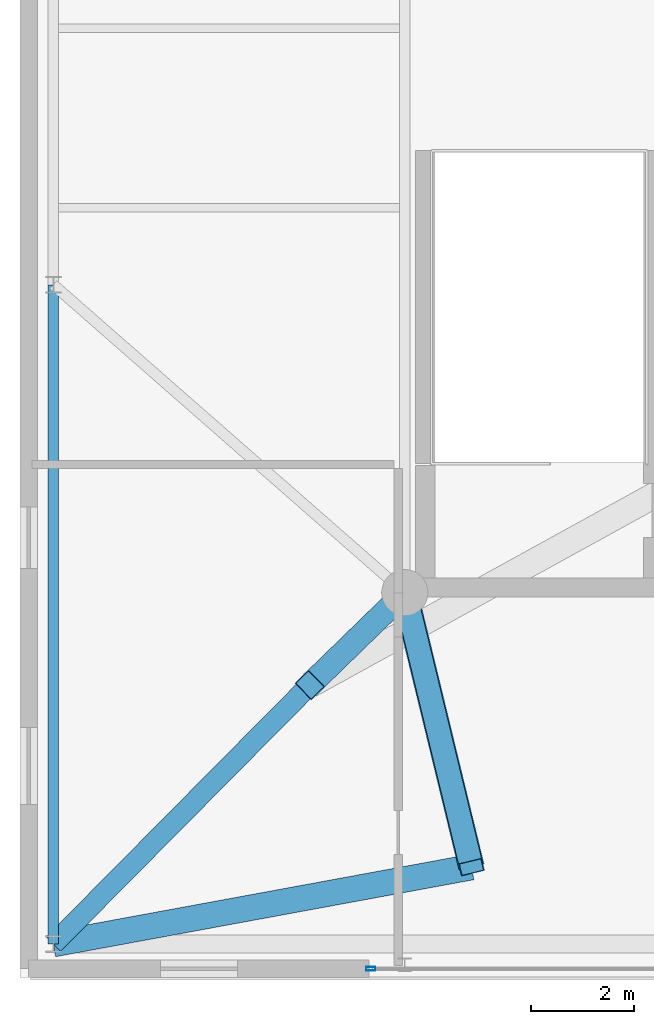
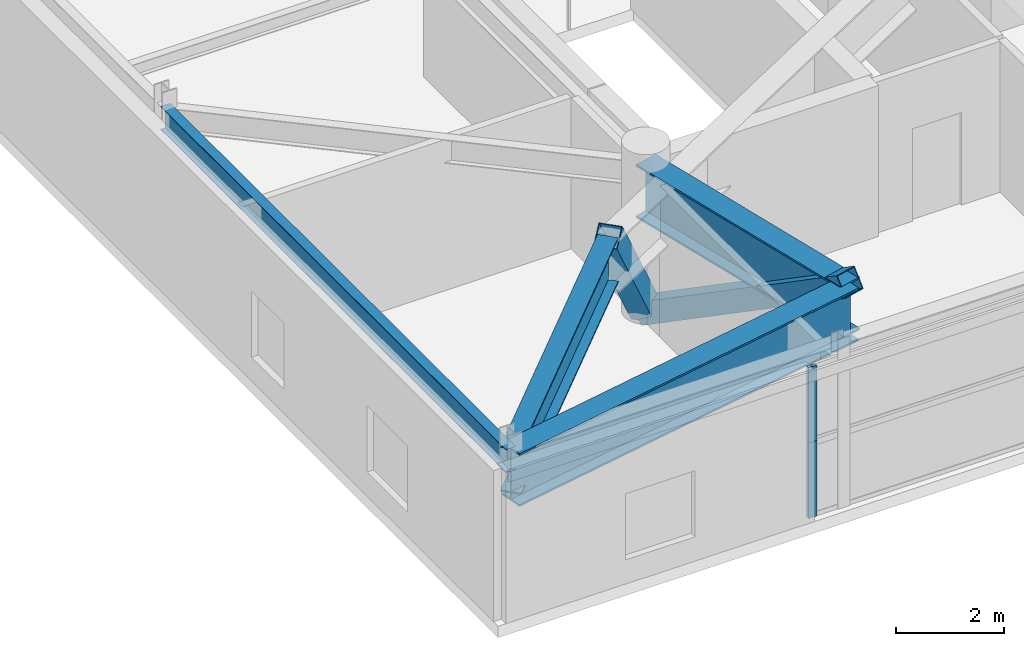
# One storey, part 5 of 27: 4 beams, 4 members, 2 elements without a shape of their own.
"""IFC4 building model written with IfcOpenShell, lengths in metres."""

import ifcopenshell
import ifcopenshell.guid

model = None  # the IFC model being written
_history = None  # IfcOwnerHistory: only IFC2X3 demands one
_inside = {}  # id of a spatial element -> (the spatial element, [elements in it])
_under = {}  # id of a project, library or spatial element -> (it, [spatial elements below it])
_declared = {}  # id of a project -> (the project, [libraries it declares])
_typed = {}  # id of a type object -> (the type object, [elements of that type])
_made_of = {}  # id of a material, layer set ... -> (it, [elements and type objects made of it])


def new_model(schema):
    """Start an empty IFC model of exactly this schema.

    Asked for "IFC4X3", IfcOpenShell would pick the latest addendum, in which some entities
    have other attributes; the version numbers below select the first issue.
    IFC2X3 requires an IfcOwnerHistory on every rooted entity: one is made here for all.
    """
    global model, _history
    if schema == "IFC4X3":
        model = ifcopenshell.file(schema_version=(4, 3, 0, 0))
    else:
        model = ifcopenshell.file(schema=schema)
    _inside.clear()
    _under.clear()
    _declared.clear()
    _typed.clear()
    _made_of.clear()
    _history = None
    if model.schema == "IFC2X3":
        org = make("IfcOrganization", Name="unknown")
        user = make(
            "IfcPersonAndOrganization",
            ThePerson=make("IfcPerson", FamilyName="unknown"),
            TheOrganization=org,
        )
        app = make(
            "IfcApplication",
            ApplicationDeveloper=org,
            Version="unknown",
            ApplicationFullName="unknown",
            ApplicationIdentifier="unknown",
        )
        _history = make(
            "IfcOwnerHistory",
            OwningUser=user,
            OwningApplication=app,
            ChangeAction="ADDED",
            CreationDate=0,
        )
    return model


def make(cls, **values):
    """One entity of the class cls with the attributes given. An attribute that is None is left unset."""
    return model.create_entity(
        cls, **{name: value for name, value in values.items() if value is not None}
    )


def rooted(cls, **values):
    """An entity with a GlobalId (a new one), such as an element, a storey or a relation."""
    return make(cls, GlobalId=ifcopenshell.guid.new(), OwnerHistory=_history, **values)


def si_unit(unit_type, name, prefix=None):
    """IfcSIUnit, for example si_unit("LENGTHUNIT", "METRE", prefix="MILLI")."""
    return make("IfcSIUnit", UnitType=unit_type, Prefix=prefix, Name=name)


def assignment(units):
    """IfcUnitAssignment: the units of a project."""
    return None if units is None else make("IfcUnitAssignment", Units=units)


def point(xyz):
    """IfcCartesianPoint."""
    return None if xyz is None else make("IfcCartesianPoint", Coordinates=xyz)


def direction(xyz):
    """IfcDirection."""
    return None if xyz is None else make("IfcDirection", DirectionRatios=xyz)


def frame(location, z_axis=None, x_axis=None):
    """IfcAxis2Placement3D, a coordinate frame: its origin and axes. An axis left out is left unset."""
    return make(
        "IfcAxis2Placement3D",
        Location=point(location),
        Axis=direction(z_axis),
        RefDirection=direction(x_axis),
    )


def frame_2d(location, x_axis=None):
    """IfcAxis2Placement2D, a coordinate frame in the plane: its origin and x axis."""
    return make(
        "IfcAxis2Placement2D", Location=point(location), RefDirection=direction(x_axis)
    )


def origin():
    """The frame at (0, 0, 0) with its axes left unset."""
    return frame((0.0, 0.0, 0.0))


def origin_2d():
    """The frame at (0, 0) in the plane with its x axis left unset."""
    return frame_2d((0.0, 0.0))


def place(relative_to, where):
    """IfcLocalPlacement: puts the frame where relative to a parent placement (None: the world)."""
    return make(
        "IfcLocalPlacement", PlacementRelTo=relative_to, RelativePlacement=where
    )


def context(
    kind, dimensions, precision=None, world=None, true_north=None, identifier=None
):
    """IfcGeometricRepresentationContext, for example the 3D "Model" context."""
    return make(
        "IfcGeometricRepresentationContext",
        ContextIdentifier=identifier,
        ContextType=kind,
        CoordinateSpaceDimension=dimensions,
        Precision=precision,
        WorldCoordinateSystem=world,
        TrueNorth=true_north,
    )


def subcontext(parent, identifier, kind, view, scale=None):
    """IfcGeometricRepresentationSubContext, for example "Body" below "Model"."""
    return make(
        "IfcGeometricRepresentationSubContext",
        ContextIdentifier=identifier,
        ContextType=kind,
        ParentContext=parent,
        TargetScale=scale,
        TargetView=view,
    )


def project(units=None, contexts=None):
    """IfcProject with its units and contexts."""
    return rooted(
        "IfcProject",
        Name="project",
        RepresentationContexts=contexts,
        UnitsInContext=assignment(units),
    )


def spatial(cls, under=None, at=None, **own):
    """A site, building, storey or space (cls), placed at a placement, below another one or the project."""
    s = rooted(cls, ObjectPlacement=at, **own)
    if under is not None:
        _under.setdefault(under.id(), (under, []))[1].append(s)
    return s


def profile(cls, at=None, kind="AREA", **sizes):
    """A parametric profile (cls). Its sizes go by their IFC names, for example OverallWidth=200.0."""
    return make(cls, ProfileType=kind, Position=at, **sizes)


def hollow_rectangle(**sizes):
    """IfcRectangleHollowProfileDef."""
    return profile("IfcRectangleHollowProfileDef", **sizes)


def i_section(**sizes):
    """IfcIShapeProfileDef."""
    return profile("IfcIShapeProfileDef", **sizes)


def extrude(swept, where, along, depth):
    """IfcExtrudedAreaSolid: the profile swept, set in the frame where, extruded along a direction by depth."""
    return make(
        "IfcExtrudedAreaSolid",
        SweptArea=swept,
        Position=where,
        ExtrudedDirection=direction(along),
        Depth=depth,
    )


def shape(context_of_items, identifier, shape_type, items):
    """IfcShapeRepresentation: the items that make up one representation, for example the "Body"."""
    return make(
        "IfcShapeRepresentation",
        ContextOfItems=context_of_items,
        RepresentationIdentifier=identifier,
        RepresentationType=shape_type,
        Items=items,
    )


def source(mapping_origin, context_of_items, identifier, shape_type, items):
    """IfcRepresentationMap: a shape defined once, which mapped items show again and again."""
    return make(
        "IfcRepresentationMap",
        MappingOrigin=mapping_origin,
        MappedRepresentation=shape(context_of_items, identifier, shape_type, items),
    )


def transform(
    local_origin,
    x_axis=None,
    y_axis=None,
    z_axis=None,
    scale=None,
    scale2=None,
    scale3=None,
    uniform=True,
):
    """IfcCartesianTransformationOperator3D, or its non-uniform kind. x_axis, y_axis, z_axis: its Axis1, 2, 3."""
    if uniform:
        return make(
            "IfcCartesianTransformationOperator3D",
            Axis1=direction(x_axis),
            Axis2=direction(y_axis),
            LocalOrigin=point(local_origin),
            Scale=scale,
            Axis3=direction(z_axis),
        )
    return make(
        "IfcCartesianTransformationOperator3DnonUniform",
        Axis1=direction(x_axis),
        Axis2=direction(y_axis),
        LocalOrigin=point(local_origin),
        Scale=scale,
        Axis3=direction(z_axis),
        Scale2=scale2,
        Scale3=scale3,
    )


def mapped(mapping_source, mapping_target):
    """IfcMappedItem: shows the shape of a source again, moved by a transform."""
    return make(
        "IfcMappedItem", MappingSource=mapping_source, MappingTarget=mapping_target
    )


def material(Name=None, Category=None):
    """IfcMaterial."""
    return make("IfcMaterial", Name=Name, Category=Category)


def layer(
    of_material, thickness, ventilated=None, Name=None, Category=None, Priority=None
):
    """IfcMaterialLayer: one layer of a wall or slab, of a material (None: an air gap)."""
    return make(
        "IfcMaterialLayer",
        Material=of_material,
        LayerThickness=thickness,
        IsVentilated=ventilated,
        Name=Name,
        Category=Category,
        Priority=Priority,
    )


def layer_set(layers, Name=None):
    """IfcMaterialLayerSet."""
    return make("IfcMaterialLayerSet", MaterialLayers=layers, LayerSetName=Name)


def material_profile(
    of_material, cross_section, Name=None, Category=None, Priority=None
):
    """IfcMaterialProfile: a cross section and its material."""
    return make(
        "IfcMaterialProfile",
        Name=Name,
        Material=of_material,
        Profile=cross_section,
        Priority=Priority,
        Category=Category,
    )


def profile_set(profiles, Name=None, composite=None):
    """IfcMaterialProfileSet."""
    return make(
        "IfcMaterialProfileSet",
        Name=Name,
        MaterialProfiles=profiles,
        CompositeProfile=composite,
    )


def made_of(thing, what):
    """Note that an element or type object is made of a material, layer set ...; save() writes the relation."""
    if what is not None:
        _made_of.setdefault(what.id(), (what, []))[1].append(thing)
    return thing


def type_object(cls, material=None, **own):
    """A type object (cls), such as IfcWallType, which elements share."""
    return made_of(rooted(cls, **own), material)


def element(
    cls,
    number,
    at=None,
    inside=None,
    cuts=None,
    type_object=None,
    material=None,
    context=None,
    identifier="Body",
    shape_type=None,
    held_by="IfcProductDefinitionShape",
    body=None,
    shapes=None,
    **own,
):
    """One element of the class cls, such as IfcWall. Its Tag is "e" and its number.

    at: its placement. inside: the storey or other place that contains it. cuts: it is an
    opening in that element (IfcRelVoidsElement). A single representation is given by context,
    identifier, shape_type and body (its items); several are given by shapes. held_by: the class
    of the entity that holds the representations. save() writes the other relations.
    """
    e = rooted(cls, Tag="e%d" % number, ObjectPlacement=at, **own)
    if body is not None:
        shapes = [shape(context, identifier, shape_type, body)]
    if shapes is not None:
        e.Representation = make(held_by, Representations=shapes)
    if inside is not None:
        _inside.setdefault(inside.id(), (inside, []))[1].append(e)
    if cuts is not None:
        rooted(
            "IfcRelVoidsElement", RelatingBuildingElement=cuts, RelatedOpeningElement=e
        )
    if type_object is not None:
        _typed.setdefault(type_object.id(), (type_object, []))[1].append(e)
    return made_of(e, material)


def aggregate(whole, parts):
    """IfcRelAggregates: a whole, such as a stair, and the parts it consists of."""
    return rooted("IfcRelAggregates", RelatingObject=whole, RelatedObjects=parts)


def save(model, path):
    """Write the relations noted so far, then the file.

    IfcRelAggregates (storeys below a building ...), IfcRelContainedInSpatialStructure (elements
    in a storey), IfcRelDefinesByType, IfcRelAssociatesMaterial and IfcRelDeclares: one each for
    every whole, place, type object, material and project.
    """
    for whole, parts in _under.values():
        aggregate(whole, parts)
    for where, things in _inside.values():
        rooted(
            "IfcRelContainedInSpatialStructure",
            RelatedElements=things,
            RelatingStructure=where,
        )
    for kind, things in _typed.values():
        rooted("IfcRelDefinesByType", RelatedObjects=things, RelatingType=kind)
    for what, things in _made_of.values():
        rooted("IfcRelAssociatesMaterial", RelatedObjects=things, RelatingMaterial=what)
    for by, libraries in _declared.values():
        rooted("IfcRelDeclares", RelatingContext=by, RelatedDefinitions=libraries)
    model.write(path)


model = new_model("IFC4")

# Units and contexts
model_context = context("Model", 3, precision=1e-05, world=origin(), true_north=direction((0.0, 1.0)))
body_context = subcontext(model_context, "Body", "Model", "MODEL_VIEW")
ifc_project = project(units=[si_unit("LENGTHUNIT", "METRE"), si_unit("AREAUNIT", "SQUARE_METRE"), si_unit("VOLUMEUNIT", "CUBIC_METRE"), si_unit("PLANEANGLEUNIT", "RADIAN"), si_unit("MASSUNIT", "GRAM", prefix="KILO")], contexts=[model_context])

# Site, building, storey
site_placement = place(None, origin())
site = spatial("IfcSite", under=ifc_project, at=site_placement, CompositionType="ELEMENT")
building_placement = place(site_placement, origin())
building = spatial("IfcBuilding", under=site, at=building_placement, Name="Taldren Reach Tower", CompositionType="ELEMENT")
storey_placement = place(building_placement, frame((0.0, 0.0, 12.949951171875)))
storey = spatial("IfcBuildingStorey", under=building, at=storey_placement, Name="L03", CompositionType="ELEMENT", Elevation=12.949951171875)

# Beam
ifc_material_1 = material(Name="Steel Gr 350 (350PLUS)", Category="steel")
ifc_material_profile_1 = material_profile(ifc_material_1, i_section(OverallWidth=0.208984375, OverallDepth=0.528076171875, WebThickness=0.009521484375, FlangeThickness=0.01318359375, at=origin_2d()), Name="530UB82.0")
ifc_profile_set_1 = profile_set([ifc_material_profile_1], Name="Steel Gr 350 (350PLUS)")
beam_type_1 = type_object("IfcBeamType", Name="SP-UB530B", PredefinedType="SPANDREL", material=ifc_profile_set_1)
shared_shape_1 = source(origin(), body_context, "Body", "SweptSolid", [
    extrude(i_section(OverallWidth=0.208984375, OverallDepth=0.528076171875, WebThickness=0.009521484375, FlangeThickness=0.01318359375, at=origin_2d()), origin(), (0.0, 0.0, 1.0), 12.85009765625),
])
beam_1_placement = place(storey_placement, frame((0.64990234375, 0.64990234375, 3.166015625), z_axis=(0.0, 1.0, 0.0), x_axis=(-1.0, 0.0, 0.0)))
element("IfcBeam", 1, at=beam_1_placement, inside=storey, type_object=beam_type_1, Name="Podium beam L03-PD12", PredefinedType="SPANDREL", context=body_context, shape_type="MappedRepresentation", body=[
    mapped(shared_shape_1, transform((0.0, 0.0, 0.0), scale=1.0)),
])

# Member
ifc_material_2 = material(Name="Steel Gr 450 (C450L0)", Category="steel")
ifc_material_profile_2 = material_profile(ifc_material_2, hollow_rectangle(XDim=0.4599609375, YDim=0.4599609375, WallThickness=0.01611328125, at=origin_2d()), Name="460x460x16.0SHS")
ifc_profile_set_2 = profile_set([ifc_material_profile_2], Name="Steel Gr 450 (C450L0)")
member_type_1 = type_object("IfcMemberType", Name="MB-EXO457", PredefinedType="BRACE", material=ifc_profile_set_2)
shared_shape_2 = source(origin(), body_context, "Body", "SweptSolid", [
    extrude(hollow_rectangle(XDim=0.4599609375, YDim=0.4599609375, WallThickness=0.01611328125, at=origin_2d()), origin(), (0.0, 0.0, 1.0), 6.476318359375),
])
member_1_placement = place(storey_placement, frame((7.5, 7.5, 0.02001953125), z_axis=(0.200742524089, -0.826116746082, 0.526529734075), x_axis=(0.971722897714, 0.236124141203, 0.0)))
element("IfcMember", 2, at=member_1_placement, inside=storey, type_object=member_type_1, Name="Portal and block transfer strut TS-B1-S1 L03", PredefinedType="BRACE", context=body_context, shape_type="MappedRepresentation", body=[
    mapped(shared_shape_2, transform((0.0, 0.0, 0.0), scale=1.0)),
])

# Beams
ifc_material_profile_3 = material_profile(ifc_material_1, i_section(OverallWidth=0.5, OverallDepth=1.199951171875, WebThickness=0.01611328125, FlangeThickness=0.0400390625, at=origin_2d()), Name="1200WB455")
ifc_profile_set_3 = profile_set([ifc_material_profile_3], Name="Steel Gr 350 (350PLUS)")
beam_type_2 = type_object("IfcBeamType", Name="BM-WB1200", PredefinedType="BEAM", material=ifc_profile_set_3)
shared_shape_3 = source(origin(), body_context, "Body", "SweptSolid", [
    extrude(i_section(OverallWidth=0.5, OverallDepth=1.199951171875, WebThickness=0.01611328125, FlangeThickness=0.0400390625, at=origin_2d()), origin(), (0.0, 0.0, 1.0), 5.505859375),
])
beam_2_placement = place(storey_placement, frame((7.5, 7.5, 2.830078125), z_axis=(0.236124141203, -0.971722897714, 0.0), x_axis=(0.971722897714, 0.236124141203, 0.0)))
element("IfcBeam", 3, at=beam_2_placement, inside=storey, type_object=beam_type_2, Name="Block transfer girder TG-B1-S1A on L03", PredefinedType="BEAM", context=body_context, shape_type="MappedRepresentation", body=[
    mapped(shared_shape_3, transform((0.0, 0.0, 0.0), scale=1.0)),
])
shared_shape_4 = source(origin(), body_context, "Body", "SweptSolid", [
    extrude(i_section(OverallWidth=0.5, OverallDepth=1.199951171875, WebThickness=0.01611328125, FlangeThickness=0.0400390625, at=origin_2d()), origin(), (0.0, 0.0, 1.0), 8.287109375),
])
beam_3_placement = place(storey_placement, frame((0.64990234375, 0.64990234375, 2.830078125), z_axis=(0.983482044694, 0.181005711967, 0.0), x_axis=(-0.181005711967, 0.983482044694, 0.0)))
element("IfcBeam", 4, at=beam_3_placement, inside=storey, type_object=beam_type_2, Name="Block transfer tie girder TG-B1-S1B on L03", PredefinedType="BEAM", context=body_context, shape_type="MappedRepresentation", body=[
    mapped(shared_shape_4, transform((0.0, 0.0, 0.0), scale=1.0)),
])

# Member
shared_shape_5 = source(origin(), body_context, "Body", "SweptSolid", [
    extrude(hollow_rectangle(XDim=0.4599609375, YDim=0.4599609375, WallThickness=0.01611328125, at=origin_2d()), origin(), (0.0, 0.0, 1.0), 4.27685546875),
])
member_2_placement = place(storey_placement, frame((7.5, 7.5, 0.02001953125), z_axis=(-0.43259492115, -0.420892366539, 0.79731502556), x_axis=(0.697345767821, -0.716734874345, 0.0)))
element("IfcMember", 5, at=member_2_placement, inside=storey, type_object=member_type_1, Name="Portal and block transfer strut TS-B1-W1 L03", PredefinedType="BRACE", context=body_context, shape_type="MappedRepresentation", body=[
    mapped(shared_shape_5, transform((0.0, 0.0, 0.0), scale=1.0)),
])

# Beam
ifc_material_profile_4 = material_profile(ifc_material_1, i_section(OverallWidth=0.39990234375, OverallDepth=1.02392578125, WebThickness=0.01611328125, FlangeThickness=0.031982421875, at=origin_2d()), Name="1000WB322")
ifc_profile_set_4 = profile_set([ifc_material_profile_4], Name="Steel Gr 350 (350PLUS)")
beam_type_3 = type_object("IfcBeamType", Name="BM-WB1000", PredefinedType="BEAM", material=ifc_profile_set_4)
shared_shape_6 = source(origin(), body_context, "Body", "SweptSolid", [
    extrude(i_section(OverallWidth=0.39990234375, OverallDepth=1.02392578125, WebThickness=0.01611328125, FlangeThickness=0.031982421875, at=origin_2d()), origin(), (0.0, 0.0, 1.0), 7.1064453125),
])
beam_4_placement = place(storey_placement, frame((0.64990234375, 0.64990234375, 2.91796875), z_axis=(0.703576694325, 0.710619332134, 0.0), x_axis=(-0.710619332134, 0.703576694325, 0.0)))
element("IfcBeam", 6, at=beam_4_placement, inside=storey, type_object=beam_type_3, Name="Block transfer tie girder TG-B1-W1B on L03", PredefinedType="BEAM", context=body_context, shape_type="MappedRepresentation", body=[
    mapped(shared_shape_6, transform((0.0, 0.0, 0.0), scale=1.0)),
])

# Curtain wall, member
ifc_material_3 = material(Name="Aluminium and Low-E Glass Unitised System", Category="aluminium")
ifc_layer = layer(ifc_material_3, 0.159912109375)
ifc_layer_set = layer_set([ifc_layer], Name="Aluminium and Low-E Glass Unitised System")
curtain_wall_type = type_object("IfcCurtainWallType", Name="CW-SYS-1", PredefinedType="NOTDEFINED", material=ifc_layer_set)
curtain_wall_1_placement = place(storey_placement, origin())
curtain_wall_1 = element("IfcCurtainWall", 7, at=curtain_wall_1_placement, inside=storey, type_object=curtain_wall_type, Name="Unitised curtain wall CW1-L03-S1", PredefinedType="NOTDEFINED")
ifc_material_4 = material(Name="Anodised Aluminium 6063-T6", Category="aluminium")
ifc_material_profile_5 = material_profile(ifc_material_4, hollow_rectangle(XDim=0.070068359375, YDim=0.179931640625, WallThickness=0.00390625, at=origin_2d()), Name="ALU-180x70x4RHS")
ifc_profile_set_5 = profile_set([ifc_material_profile_5], Name="Anodised Aluminium 6063-T6")
member_type_2 = type_object("IfcMemberType", Name="CW-MUL-180", PredefinedType="MULLION", material=ifc_profile_set_5)
shared_shape_7 = source(origin(), body_context, "Body", "SweptSolid", [
    extrude(hollow_rectangle(XDim=0.070068359375, YDim=0.179931640625, WallThickness=0.00390625, at=origin_2d()), origin(), (0.0, 0.0, 1.0), 1.715087890625),
])
member_3_placement = place(storey_placement, frame((6.8349609375, 0.169921875, 0.0), z_axis=(0.0, 0.0, 1.0), x_axis=(0.0, 1.0, 0.0)))
member_3 = element("IfcMember", 8, at=member_3_placement, type_object=member_type_2, Name="CW-1 mullion 1", PredefinedType="MULLION", context=body_context, shape_type="MappedRepresentation", body=[
    mapped(shared_shape_7, transform((0.0, 0.0, 0.0), scale=1.0)),
])
aggregate(curtain_wall_1, [member_3])

curtain_wall_2_placement = place(storey_placement, origin())
curtain_wall_2 = element("IfcCurtainWall", 9, at=curtain_wall_2_placement, inside=storey, type_object=curtain_wall_type, Name="Unitised curtain wall CW1-L03-S1-T2", PredefinedType="NOTDEFINED")
shared_shape_8 = source(origin(), body_context, "Body", "SweptSolid", [
    extrude(hollow_rectangle(XDim=0.070068359375, YDim=0.179931640625, WallThickness=0.00390625, at=origin_2d()), origin(), (0.0, 0.0, 1.0), 1.71484375),
])
member_4_placement = place(storey_placement, frame((6.8349609375, 0.169921875, 1.715087890625), z_axis=(0.0, 0.0, 1.0), x_axis=(0.0, 1.0, 0.0)))
member_4 = element("IfcMember", 10, at=member_4_placement, type_object=member_type_2, Name="CW-1 mullion 1", PredefinedType="MULLION", context=body_context, shape_type="MappedRepresentation", body=[
    mapped(shared_shape_8, transform((0.0, 0.0, 0.0), scale=1.0)),
])
aggregate(curtain_wall_2, [member_4])

save(model, "model.ifc")
